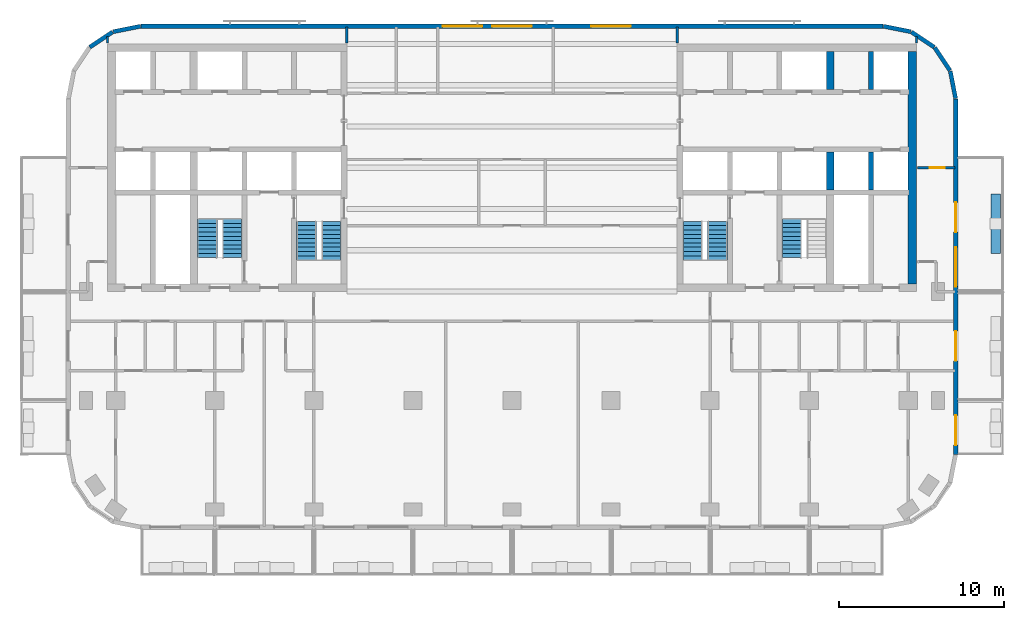
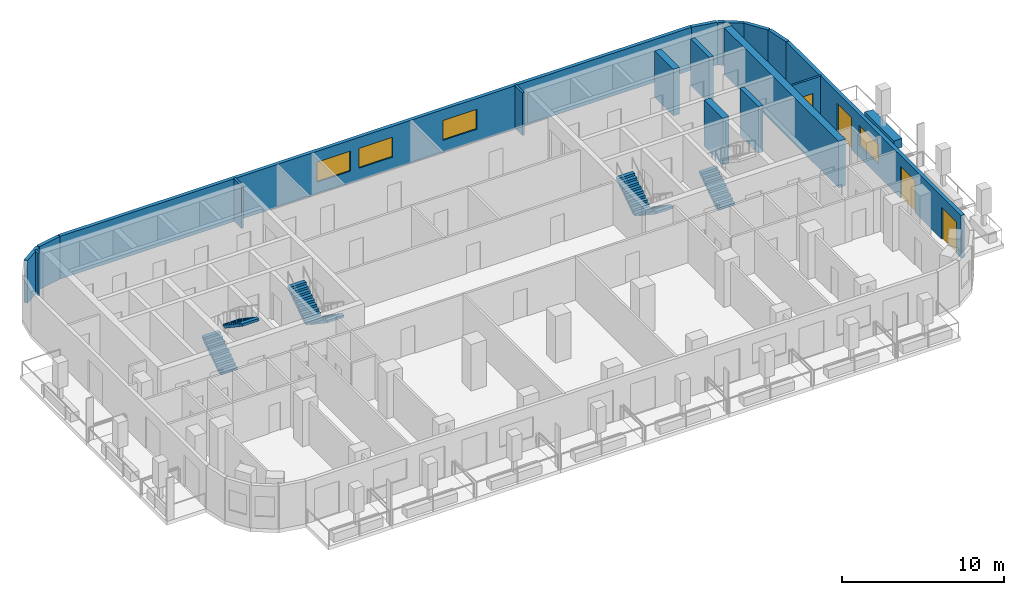
# One storey, part 7 of 11: 19 walls, 7 stair flights, 4 doors, 4 windows, 8 openings, 4 elements without a shape of their own.
"""IFC4 building model written with IfcOpenShell, lengths in metres."""

from ifc_helpers import new_model, si_unit, direction, frame, frame_2d, origin, place, context, subcontext, project, spatial, polyline, rectangle, outline, extrude, material, layer, layer_set, type_object, element, fill, aggregate, save


model = new_model("IFC4")

# Units and contexts
model_context = context("Model", 3, precision=1e-05, world=origin(), true_north=direction((0.0, 1.0)))
body_context = subcontext(model_context, "Body", "Model", "MODEL_VIEW")
ifc_project = project(units=[si_unit("LENGTHUNIT", "METRE"), si_unit("AREAUNIT", "SQUARE_METRE"), si_unit("VOLUMEUNIT", "CUBIC_METRE"), si_unit("PLANEANGLEUNIT", "RADIAN"), si_unit("MASSUNIT", "GRAM", prefix="KILO")], contexts=[model_context])

# Site, building, storey
site_placement = place(None, origin())
site = spatial("IfcSite", under=ifc_project, at=site_placement, CompositionType="ELEMENT")
building_placement = place(site_placement, origin())
building = spatial("IfcBuilding", under=site, at=building_placement, Name="Torana Hotel and Residences", CompositionType="ELEMENT")
storey_placement = place(building_placement, frame((0.0, 0.0, 187.10009765625)))
storey = spatial("IfcBuildingStorey", under=building, at=storey_placement, Name="L48", CompositionType="ELEMENT", Elevation=187.10009765625)

# Walls
ifc_material_1 = material(Name="Concrete C70/85", Category="concrete")
ifc_layer_1 = layer(ifc_material_1, 0.300048828125)
ifc_layer_set_1 = layer_set([ifc_layer_1], Name="CORE WALL 300 C70/85")
wall_type_1 = type_object("IfcWallType", Name="CORE WALL 300 C70/85", PredefinedType="SHEAR", material=ifc_layer_set_1)
for number, where, z_axis, x_axis, name in (
    (1, (21.75, -2.75, 0.0), (0.0, 0.0, 1.0), (0.0, 1.0, 0.0), "Core wall E mm-N"),
    (2, (21.75, -8.85009765625, 0.0), (0.0, 0.0, 1.0), (0.0, 1.0, 0.0), "Core wall E mm-S"),
):
    element("IfcWall", number, at=place(storey_placement, frame(where, z_axis=z_axis, x_axis=x_axis)), inside=storey, type_object=wall_type_1, Name=name, PredefinedType="SHEAR", context=body_context, shape_type="SweptSolid", body=[
        extrude(rectangle(XDim=2.300048828125, YDim=0.300048828125, at=frame_2d((1.14990234375, 0.0))), origin(), (0.0, 0.0, 1.0), 3.5),
    ])
ifc_material_2 = material(Name="Concrete C70/85", Category="concrete")
ifc_layer_2 = layer(ifc_material_2, 0.449951171875)
ifc_layer_set_2 = layer_set([ifc_layer_2], Name="CORE WALL 450 C70/85")
wall_type_2 = type_object("IfcWallType", Name="CORE WALL 450 C70/85", PredefinedType="SHEAR", material=ifc_layer_set_2)
for number, where, z_axis, x_axis, name in (
    (3, (19.27490234375, -2.75, 0.0), (0.0, 0.0, 1.0), (0.0, 1.0, 0.0), "Core wall E hm-N"),
    (4, (19.27490234375, -8.85009765625, 0.0), (0.0, 0.0, 1.0), (0.0, 1.0, 0.0), "Core wall E hm-S"),
):
    element("IfcWall", number, at=place(storey_placement, frame(where, z_axis=z_axis, x_axis=x_axis)), inside=storey, type_object=wall_type_2, Name=name, PredefinedType="SHEAR", context=body_context, shape_type="SweptSolid", body=[
        extrude(rectangle(XDim=2.300048828125, YDim=0.449951171875, at=frame_2d((1.14990234375, 0.0))), origin(), (0.0, 0.0, 1.0), 3.5),
    ])
ifc_material_3 = material(Name="Concrete C70/85", Category="concrete")
ifc_layer_3 = layer(ifc_material_3, 0.5)
ifc_layer_set_3 = layer_set([ifc_layer_3], Name="CORE WALL 500 C70/85")
wall_type_3 = type_object("IfcWallType", Name="CORE WALL 500 C70/85", PredefinedType="SHEAR", material=ifc_layer_set_3)
wall_1_placement = place(storey_placement, frame((24.25, -14.550048828125, 0.0), z_axis=(0.0, 0.0, 1.0), x_axis=(0.0, 1.0, 0.0)))
element("IfcWall", 5, at=wall_1_placement, inside=storey, type_object=wall_type_3, Name="Core wall E outer", PredefinedType="SHEAR", context=body_context, shape_type="SweptSolid", body=[
    extrude(rectangle(XDim=14.10009765625, YDim=0.5, at=frame_2d((7.050048828125, 0.0))), origin(), (0.0, 0.0, 1.0), 3.5),
])
ifc_material_4 = material(Name="Black aluminium composite panel", Category="aluminium")
ifc_layer_4 = layer(ifc_material_4, 0.00390625, Name="Cladding", Category="cladding")
ifc_material_5 = material(Name="Ventilated air cavity")
ifc_layer_5 = layer(ifc_material_5, 0.0400390625, Name="Ventilated cavity", Category="cavity")
ifc_material_6 = material(Name="Mineral wool insulation")
ifc_layer_6 = layer(ifc_material_6, 0.090087890625, Name="Insulation", Category="insulation")
ifc_material_7 = material(Name="Steel S280GD", Category="steel")
ifc_layer_7 = layer(ifc_material_7, 0.092041015625, Name="Steel stud frame", Category="structure")
ifc_material_8 = material(Name="Fire rated plasterboard")
ifc_layer_8 = layer(ifc_material_8, 0.011962890625, Name="Inner board", Category="finish")
ifc_layer_9 = layer(ifc_material_8, 0.011962890625, Name="Second board", Category="finish")
ifc_layer_set_4 = layer_set([ifc_layer_4, ifc_layer_5, ifc_layer_6, ifc_layer_7, ifc_layer_8, ifc_layer_9], Name="EW1 EXTERNAL WALL BLACK METAL CLAD 250")
wall_type_4 = type_object("IfcWallType", Name="EW1 EXTERNAL WALL BLACK METAL CLAD 250", PredefinedType="SOLIDWALL", material=ifc_layer_set_4)
wall_2_placement = place(storey_placement, frame((26.87255859375, -3.30029296875, 0.0), z_axis=(0.0, 0.0, 1.0), x_axis=(-0.194999110559, 0.980803419081, 0.0)))
element("IfcWall", 6, at=wall_2_placement, inside=storey, type_object=wall_type_4, Name="External wall L48 e0.0", PredefinedType="SOLIDWALL", context=body_context, shape_type="SweptSolid", body=[
    extrude(rectangle(XDim=1.681396484375, YDim=0.25, at=frame_2d((0.8408203125, 0.0))), origin(), (0.0, 0.0, 1.0), 3.219970703125),
])
for number, where, z_axis, x_axis, name in (
    (7, (26.52587890625, -1.60595703125, 0.0), (0.0, 0.0, 1.0), (-0.55555029066, 0.831482937015, 0.0), "External wall L48 e0.1"),
    (8, (25.5712890625, -0.1943359375, 0.0), (0.0, 0.0, 1.0), (-0.831482937015, 0.55555029066, 0.0), "External wall L48 e0.2"),
):
    element("IfcWall", number, at=place(storey_placement, frame(where, z_axis=z_axis, x_axis=x_axis)), inside=storey, type_object=wall_type_4, Name=name, PredefinedType="SOLIDWALL", context=body_context, shape_type="SweptSolid", body=[
        extrude(rectangle(XDim=1.65625, YDim=0.25, at=frame_2d((0.828125, 0.0))), origin(), (0.0, 0.0, 1.0), 3.219970703125),
    ])
for number, where, z_axis, x_axis, name in (
    (9, (24.14892578125, 0.74462890625, 0.0), (0.0, 0.0, 1.0), (-0.980803419081, 0.194999110559, 0.0), "External wall L48 e0.3"),
    (10, (-22.499755859375, 1.072509765625, 0.0), (0.0, 0.0, 1.0), (-0.980803419081, -0.194999110559, 0.0), "External wall L48 e0.5"),
):
    element("IfcWall", number, at=place(storey_placement, frame(where, z_axis=z_axis, x_axis=x_axis)), inside=storey, type_object=wall_type_4, Name=name, PredefinedType="SOLIDWALL", context=body_context, shape_type="SweptSolid", body=[
        extrude(rectangle(XDim=1.681396484375, YDim=0.25, at=frame_2d((0.8408203125, 0.0))), origin(), (0.0, 0.0, 1.0), 3.219970703125),
    ])
wall_3_placement = place(storey_placement, frame((-24.194091796875, 0.725830078125, 0.0), z_axis=(0.0, 0.0, 1.0), x_axis=(-0.831482937015, -0.55555029066, 0.0)))
element("IfcWall", 11, at=wall_3_placement, inside=storey, type_object=wall_type_4, Name="External wall L48 e0.6", PredefinedType="SOLIDWALL", context=body_context, shape_type="SweptSolid", body=[
    extrude(rectangle(XDim=1.65625, YDim=0.25, at=frame_2d((0.828125, 0.0))), origin(), (0.0, 0.0, 1.0), 3.219970703125),
])

# Wall, openings, doors, window
wall_4_placement = place(storey_placement, frame((26.875, -24.87548828125, 0.0), z_axis=(0.0, 0.0, 1.0), x_axis=(0.0, 1.0, 0.0)))
wall_4 = element("IfcWall", 12, at=wall_4_placement, inside=storey, type_object=wall_type_4, Name="External wall L48 e0.19", PredefinedType="SOLIDWALL", context=body_context, shape_type="SweptSolid", body=[
    extrude(rectangle(XDim=21.55078125, YDim=0.25, at=frame_2d((10.775390625, 0.0))), origin(), (0.0, 0.0, 1.0), 3.219970703125),
])
opening_1_placement = place(wall_4_placement, frame((0.575439453125, 0.0, 0.0)))
opening_1 = element("IfcOpeningElement", 13, at=opening_1_placement, cuts=wall_4, Name="Opening L48-E09", PredefinedType="OPENING", context=body_context, shape_type="SweptSolid", body=[
    extrude(rectangle(XDim=1.800048828125, YDim=2.39990234375, at=frame_2d((0.89990234375, 1.199951171875))), frame((0.0, 0.135009765625, 0.0), z_axis=(0.0, -1.0, 0.0), x_axis=(1.0, 0.0, 0.0)), (0.0, 0.0, 1.0), 0.27001953125),
])
opening_2_placement = place(wall_4_placement, frame((5.67529296875, 0.0, 0.0)))
opening_2 = element("IfcOpeningElement", 14, at=opening_2_placement, cuts=wall_4, Name="Opening L48-E10", PredefinedType="OPENING", context=body_context, shape_type="SweptSolid", body=[
    extrude(rectangle(XDim=1.800048828125, YDim=2.39990234375, at=frame_2d((0.89990234375, 1.199951171875))), frame((0.0, 0.135009765625, 0.0), z_axis=(0.0, -1.0, 0.0), x_axis=(1.0, 0.0, 0.0)), (0.0, 0.0, 1.0), 0.27001953125),
])
opening_3_placement = place(wall_4_placement, frame((10.17529296875, 0.0, 0.89990234375)))
opening_3 = element("IfcOpeningElement", 15, at=opening_3_placement, cuts=wall_4, Name="Opening W3", PredefinedType="OPENING", context=body_context, shape_type="SweptSolid", body=[
    extrude(rectangle(XDim=2.39990234375, YDim=1.5, at=frame_2d((1.199951171875, 0.75))), frame((0.0, 0.135009765625, 0.0), z_axis=(0.0, -1.0, 0.0), x_axis=(1.0, 0.0, 0.0)), (0.0, 0.0, 1.0), 0.27001953125),
])
opening_4_placement = place(wall_4_placement, frame((13.475341796875, 0.0, 0.0)))
opening_4 = element("IfcOpeningElement", 16, at=opening_4_placement, cuts=wall_4, Name="Opening L48-E11", PredefinedType="OPENING", context=body_context, shape_type="SweptSolid", body=[
    extrude(rectangle(XDim=1.800048828125, YDim=2.39990234375, at=frame_2d((0.89990234375, 1.199951171875))), frame((0.0, 0.135009765625, 0.0), z_axis=(0.0, -1.0, 0.0), x_axis=(1.0, 0.0, 0.0)), (0.0, 0.0, 1.0), 0.27001953125),
])
ifc_material_9 = material(Name="Dark glass in black aluminium frame", Category="aluminium")
door_type_1 = type_object("IfcDoorType", Name="DB1 BALCONY DOOR 1800x2400", OperationType="DOUBLE_DOOR_SINGLE_SWING", PredefinedType="DOOR", material=ifc_material_9)
door_1_placement = place(opening_1_placement, origin())
door_1 = element("IfcDoor", 17, at=door_1_placement, inside=storey, type_object=door_type_1, Name="Balcony door L48", OperationType="DOUBLE_DOOR_SINGLE_SWING", OverallHeight=2.39990234375, OverallWidth=1.800048828125, PredefinedType="DOOR", context=body_context, shape_type="SweptSolid", body=[
    extrude(rectangle(XDim=1.800048828125, YDim=2.39990234375, at=frame_2d((0.89990234375, 1.199951171875))), frame((0.0, 0.02490234375, 0.0), z_axis=(0.0, -1.0, 0.0), x_axis=(1.0, 0.0, 0.0)), (0.0, 0.0, 1.0), 0.050048828125),
])
fill(opening_1, door_1)
door_2_placement = place(opening_2_placement, origin())
door_2 = element("IfcDoor", 18, at=door_2_placement, inside=storey, type_object=door_type_1, Name="Balcony door L48", OperationType="DOUBLE_DOOR_SINGLE_SWING", OverallHeight=2.39990234375, OverallWidth=1.800048828125, PredefinedType="DOOR", context=body_context, shape_type="SweptSolid", body=[
    extrude(rectangle(XDim=1.800048828125, YDim=2.39990234375, at=frame_2d((0.89990234375, 1.199951171875))), frame((0.0, 0.02490234375, 0.0), z_axis=(0.0, -1.0, 0.0), x_axis=(1.0, 0.0, 0.0)), (0.0, 0.0, 1.0), 0.050048828125),
])
fill(opening_2, door_2)
door_3_placement = place(opening_4_placement, origin())
door_3 = element("IfcDoor", 19, at=door_3_placement, inside=storey, type_object=door_type_1, Name="Balcony door L48", OperationType="DOUBLE_DOOR_SINGLE_SWING", OverallHeight=2.39990234375, OverallWidth=1.800048828125, PredefinedType="DOOR", context=body_context, shape_type="SweptSolid", body=[
    extrude(rectangle(XDim=1.800048828125, YDim=2.39990234375, at=frame_2d((0.89990234375, 1.199951171875))), frame((0.0, 0.02490234375, 0.0), z_axis=(0.0, -1.0, 0.0), x_axis=(1.0, 0.0, 0.0)), (0.0, 0.0, 1.0), 0.050048828125),
])
fill(opening_4, door_3)
ifc_material_10 = material(Name="Dark glass in black aluminium frame", Category="aluminium")
window_type = type_object("IfcWindowType", Name="W3 RESIDENCE WINDOW 2400x1500", PartitioningType="SINGLE_PANEL", PredefinedType="WINDOW", material=ifc_material_10)
window_1_placement = place(opening_3_placement, origin())
window_1 = element("IfcWindow", 20, at=window_1_placement, inside=storey, type_object=window_type, Name="Window L48", OverallHeight=1.5, OverallWidth=2.39990234375, PartitioningType="SINGLE_PANEL", PredefinedType="WINDOW", context=body_context, shape_type="SweptSolid", body=[
    extrude(rectangle(XDim=2.39990234375, YDim=1.5, at=frame_2d((1.199951171875, 0.75))), frame((0.0, 0.030029296875, 0.0), z_axis=(0.0, -1.0, 0.0), x_axis=(1.0, 0.0, 0.0)), (0.0, 0.0, 1.0), 0.06005859375),
])
fill(opening_3, window_1)

# Wall, openings, windows
ifc_material_11 = material(Name="Concrete C40/50 precast", Category="concrete")
ifc_layer_10 = layer(ifc_material_11, 0.10009765625, Name="Perforated block", Category="cladding")
ifc_material_12 = material(Name="Air cavity")
ifc_layer_11 = layer(ifc_material_12, 0.030029296875, Name="Cavity", Category="cavity")
ifc_material_13 = material(Name="Concrete C40/50", Category="concrete")
ifc_layer_12 = layer(ifc_material_13, 0.10009765625, Name="Wall", Category="structure")
ifc_material_14 = material(Name="Plaster and paint")
ifc_layer_13 = layer(ifc_material_14, 0.02001953125, Name="Inner finish", Category="finish")
ifc_layer_set_5 = layer_set([ifc_layer_10, ifc_layer_11, ifc_layer_12, ifc_layer_13], Name="EW2 PERFORATED BLOCK SCREEN WALL 250")
wall_type_5 = type_object("IfcWallType", Name="EW2 PERFORATED BLOCK SCREEN WALL 250", PredefinedType="SOLIDWALL", material=ifc_layer_set_5)
wall_5_placement = place(storey_placement, frame((22.475341796875, 1.074951171875, 0.0), z_axis=(0.0, 0.0, 1.0), x_axis=(-1.0, 0.0, 0.0)))
wall_5 = element("IfcWall", 21, at=wall_5_placement, inside=storey, type_object=wall_type_5, Name="External wall L48 e0.4", PredefinedType="SOLIDWALL", context=body_context, shape_type="SweptSolid", body=[
    extrude(rectangle(XDim=44.95068359375, YDim=0.25, at=frame_2d((22.475341796875, 0.0))), origin(), (0.0, 0.0, 1.0), 3.219970703125),
])
opening_5_placement = place(wall_5_placement, frame((15.275390625, 0.0, 0.89990234375)))
opening_5 = element("IfcOpeningElement", 22, at=opening_5_placement, cuts=wall_5, Name="Opening W3", PredefinedType="OPENING", context=body_context, shape_type="SweptSolid", body=[
    extrude(rectangle(XDim=2.39990234375, YDim=1.5, at=frame_2d((1.199951171875, 0.75))), frame((0.0, 0.135009765625, 0.0), z_axis=(0.0, -1.0, 0.0), x_axis=(1.0, 0.0, 0.0)), (0.0, 0.0, 1.0), 0.27001953125),
])
opening_6_placement = place(wall_5_placement, frame((21.275390625, 0.0, 0.89990234375)))
opening_6 = element("IfcOpeningElement", 23, at=opening_6_placement, cuts=wall_5, Name="Opening W3", PredefinedType="OPENING", context=body_context, shape_type="SweptSolid", body=[
    extrude(rectangle(XDim=2.39990234375, YDim=1.5, at=frame_2d((1.199951171875, 0.75))), frame((0.0, 0.135009765625, 0.0), z_axis=(0.0, -1.0, 0.0), x_axis=(1.0, 0.0, 0.0)), (0.0, 0.0, 1.0), 0.27001953125),
])
opening_7_placement = place(wall_5_placement, frame((24.275390625, 0.0, 0.89990234375)))
opening_7 = element("IfcOpeningElement", 24, at=opening_7_placement, cuts=wall_5, Name="Opening W3", PredefinedType="OPENING", context=body_context, shape_type="SweptSolid", body=[
    extrude(rectangle(XDim=2.39990234375, YDim=1.5, at=frame_2d((1.199951171875, 0.75))), frame((0.0, 0.135009765625, 0.0), z_axis=(0.0, -1.0, 0.0), x_axis=(1.0, 0.0, 0.0)), (0.0, 0.0, 1.0), 0.27001953125),
])
window_2_placement = place(opening_5_placement, origin())
window_2 = element("IfcWindow", 25, at=window_2_placement, inside=storey, type_object=window_type, Name="Window L48", OverallHeight=1.5, OverallWidth=2.39990234375, PartitioningType="SINGLE_PANEL", PredefinedType="WINDOW", context=body_context, shape_type="SweptSolid", body=[
    extrude(rectangle(XDim=2.39990234375, YDim=1.5, at=frame_2d((1.199951171875, 0.75))), frame((0.0, 0.030029296875, 0.0), z_axis=(0.0, -1.0, 0.0), x_axis=(1.0, 0.0, 0.0)), (0.0, 0.0, 1.0), 0.06005859375),
])
fill(opening_5, window_2)
window_3_placement = place(opening_6_placement, origin())
window_3 = element("IfcWindow", 26, at=window_3_placement, inside=storey, type_object=window_type, Name="Window L48", OverallHeight=1.5, OverallWidth=2.39990234375, PartitioningType="SINGLE_PANEL", PredefinedType="WINDOW", context=body_context, shape_type="SweptSolid", body=[
    extrude(rectangle(XDim=2.39990234375, YDim=1.5, at=frame_2d((1.199951171875, 0.75))), frame((0.0, 0.030029296875, 0.0), z_axis=(0.0, -1.0, 0.0), x_axis=(1.0, 0.0, 0.0)), (0.0, 0.0, 1.0), 0.06005859375),
])
fill(opening_6, window_3)
window_4_placement = place(opening_7_placement, origin())
window_4 = element("IfcWindow", 27, at=window_4_placement, inside=storey, type_object=window_type, Name="Window L48", OverallHeight=1.5, OverallWidth=2.39990234375, PartitioningType="SINGLE_PANEL", PredefinedType="WINDOW", context=body_context, shape_type="SweptSolid", body=[
    extrude(rectangle(XDim=2.39990234375, YDim=1.5, at=frame_2d((1.199951171875, 0.75))), frame((0.0, 0.030029296875, 0.0), z_axis=(0.0, -1.0, 0.0), x_axis=(1.0, 0.0, 0.0)), (0.0, 0.0, 1.0), 0.06005859375),
])
fill(opening_7, window_4)

# Walls
ifc_material_15 = material(Name="Gypsum plasterboard")
ifc_layer_14 = layer(ifc_material_15, 0.012451171875, Name="Plasterboard", Category="finish")
ifc_layer_15 = layer(ifc_material_15, 0.012451171875, Name="Plasterboard", Category="finish")
ifc_layer_16 = layer(ifc_material_7, 0.10009765625, Name="Steel studs with mineral wool", Category="insulation")
ifc_layer_17 = layer(ifc_material_15, 0.012451171875, Name="Plasterboard", Category="finish")
ifc_layer_18 = layer(ifc_material_15, 0.012451171875, Name="Plasterboard", Category="finish")
ifc_layer_set_6 = layer_set([ifc_layer_14, ifc_layer_15, ifc_layer_16, ifc_layer_17, ifc_layer_18], Name="PARTITION 150 PLASTERBOARD")
wall_type_6 = type_object("IfcWallType", Name="PARTITION 150 PLASTERBOARD", PredefinedType="PARTITIONING", material=ifc_layer_set_6)
wall_6_placement = place(storey_placement, frame((24.5, 0.050048828125, 0.0), z_axis=(0.0, 0.0, 1.0), x_axis=(0.0, 1.0, 0.0)))
element("IfcWall", 28, at=wall_6_placement, inside=storey, type_object=wall_type_6, Name="Partition L48", PredefinedType="PARTITIONING", context=body_context, shape_type="SweptSolid", body=[
    extrude(rectangle(XDim=0.4052734375, YDim=0.14990234375, at=frame_2d((0.20263671875, 0.0))), origin(), (0.0, 0.0, 1.0), 3.219970703125),
])
wall_7_placement = place(storey_placement, frame((10.0, 0.050048828125, 0.0), z_axis=(0.0, 0.0, 1.0), x_axis=(0.0, 1.0, 0.0)))
element("IfcWall", 29, at=wall_7_placement, inside=storey, type_object=wall_type_6, Name="Partition L48", PredefinedType="PARTITIONING", context=body_context, shape_type="SweptSolid", body=[
    extrude(rectangle(XDim=0.969970703125, YDim=0.14990234375, at=frame_2d((0.48486328125, 0.0))), origin(), (0.0, 0.0, 1.0), 3.219970703125),
])
wall_8_placement = place(storey_placement, frame((-24.5, 0.050048828125, 0.0), z_axis=(0.0, 0.0, 1.0), x_axis=(0.0, 1.0, 0.0)))
element("IfcWall", 30, at=wall_8_placement, inside=storey, type_object=wall_type_6, Name="Partition L48", PredefinedType="PARTITIONING", context=body_context, shape_type="SweptSolid", body=[
    extrude(rectangle(XDim=0.4052734375, YDim=0.14990234375, at=frame_2d((0.20263671875, 0.0))), origin(), (0.0, 0.0, 1.0), 3.219970703125),
])

# Wall, opening, door
wall_9_placement = place(storey_placement, frame((24.550048828125, -7.5, 0.0), z_axis=(0.0, 0.0, 1.0), x_axis=(1.0, 0.0, 0.0)))
wall_9 = element("IfcWall", 31, at=wall_9_placement, inside=storey, type_object=wall_type_6, Name="Partition L48", PredefinedType="PARTITIONING", context=body_context, shape_type="SweptSolid", body=[
    extrude(rectangle(XDim=2.27001953125, YDim=0.14990234375, at=frame_2d((1.135009765625, 0.0))), origin(), (0.0, 0.0, 1.0), 3.219970703125),
])
opening_8_placement = place(wall_9_placement, frame((0.75, 0.0, 0.0)))
opening_8 = element("IfcOpeningElement", 32, at=opening_8_placement, cuts=wall_9, Name="Opening L48-63", PredefinedType="OPENING", context=body_context, shape_type="SweptSolid", body=[
    extrude(rectangle(XDim=0.89990234375, YDim=2.10009765625, at=frame_2d((0.449951171875, 1.050048828125))), frame((0.0, 0.0849609375, 0.0), z_axis=(0.0, -1.0, 0.0), x_axis=(1.0, 0.0, 0.0)), (0.0, 0.0, 1.0), 0.169921875),
])
ifc_material_16 = material(Name="Timber door, oiled ash", Category="wood")
door_type_2 = type_object("IfcDoorType", Name="ROOM DOOR D7 900x2100", OperationType="SINGLE_SWING_LEFT", PredefinedType="DOOR", material=ifc_material_16)
door_4_placement = place(opening_8_placement, origin())
door_4 = element("IfcDoor", 33, at=door_4_placement, inside=storey, type_object=door_type_2, Name="Door L48", OperationType="SINGLE_SWING_LEFT", OverallHeight=2.10009765625, OverallWidth=0.89990234375, PredefinedType="DOOR", context=body_context, shape_type="SweptSolid", body=[
    extrude(rectangle(XDim=0.89990234375, YDim=2.10009765625, at=frame_2d((0.449951171875, 1.050048828125))), frame((0.0, 0.02490234375, 0.0), z_axis=(0.0, -1.0, 0.0), x_axis=(1.0, 0.0, 0.0)), (0.0, 0.0, 1.0), 0.050048828125),
])
fill(opening_8, door_4)

# Walls
ifc_layer_19 = layer(ifc_material_11, 0.10009765625, Name="Planter shell", Category="structure")
ifc_material_17 = material(Name="Root resistant membrane")
ifc_layer_20 = layer(ifc_material_17, 0.00390625, Name="Waterproofing membrane", Category="membrane")
ifc_material_18 = material(Name="Drainage board with filter fleece")
ifc_layer_21 = layer(ifc_material_18, 0.02001953125, Name="Drainage board", Category="drainage")
ifc_material_19 = material(Name="Growing medium")
ifc_layer_22 = layer(ifc_material_19, 0.47607421875, Name="Planting substrate", Category="soil")
ifc_layer_set_7 = layer_set([ifc_layer_19, ifc_layer_20, ifc_layer_21, ifc_layer_22], Name="PL1 BALCONY PLANTER 600")
wall_type_7 = type_object("IfcWallType", Name="PL1 BALCONY PLANTER 600", PredefinedType="USERDEFINED", material=ifc_layer_set_7)
wall_10_placement = place(storey_placement, frame((29.300048828125, -9.10009765625, 0.0), z_axis=(0.0, 0.0, 1.0), x_axis=(0.0, -1.0, 0.0)))
element("IfcWall", 34, at=wall_10_placement, inside=storey, type_object=wall_type_7, Name="Planter 14", ObjectType="PLANTER", PredefinedType="USERDEFINED", context=body_context, shape_type="SweptSolid", body=[
    extrude(rectangle(XDim=3.599853515625, YDim=0.60009765625, at=frame_2d((1.7998046875, 0.0))), origin(), (0.0, 0.0, 1.0), 0.64990234375),
])
ifc_material_20 = material(Name="Ceramic tile on adhesive")
ifc_layer_23 = layer(ifc_material_20, 0.010009765625, Name="Wall tile", Category="finish")
ifc_material_21 = material(Name="Cement render")
ifc_layer_24 = layer(ifc_material_21, 0.010009765625, Name="Render", Category="finish")
ifc_material_22 = material(Name="Concrete blockwork", Category="masonry")
ifc_layer_25 = layer(ifc_material_22, 0.110107421875, Name="Blockwork", Category="structure")
ifc_layer_26 = layer(ifc_material_21, 0.010009765625, Name="Render", Category="finish")
ifc_layer_27 = layer(ifc_material_20, 0.010009765625, Name="Wall tile", Category="finish")
ifc_layer_set_8 = layer_set([ifc_layer_23, ifc_layer_24, ifc_layer_25, ifc_layer_26, ifc_layer_27], Name="WC PARTITION 150")
wall_type_8 = type_object("IfcWallType", Name="WC PARTITION 150", PredefinedType="PLUMBINGWALL", material=ifc_layer_set_8)
wall_11_placement = place(storey_placement, frame((-10.0, 0.050048828125, 0.0), z_axis=(0.0, 0.0, 1.0), x_axis=(0.0, 1.0, 0.0)))
element("IfcWall", 35, at=wall_11_placement, inside=storey, type_object=wall_type_8, Name="Partition L48", PredefinedType="PLUMBINGWALL", context=body_context, shape_type="SweptSolid", body=[
    extrude(rectangle(XDim=0.969970703125, YDim=0.14990234375, at=frame_2d((0.48486328125, 0.0))), origin(), (0.0, 0.0, 1.0), 3.219970703125),
])

# Stair, stair flights
ifc_material_23 = material(Name="Concrete C40/50 precast", Category="concrete")
stair_type_1 = type_object("IfcStairType", Name="STAIR ST1 HALF TURN 1200", PredefinedType="HALF_TURN_STAIR", material=ifc_material_23)
stair_1_placement = place(storey_placement, origin())
stair_1 = element("IfcStair", 36, at=stair_1_placement, inside=storey, type_object=stair_type_1, Name="Stair ST1 L48", PredefinedType="HALF_TURN_STAIR")
ifc_material_24 = material(Name="Concrete C40/50 precast", Category="concrete")
stair_flight_type = type_object("IfcStairFlightType", Name="STAIR FLIGHT 1200 PRECAST", PredefinedType="STRAIGHT", material=ifc_material_24)
stair_flight_1_placement = place(storey_placement, frame((-10.949951171875, -10.75, 0.0), z_axis=(0.0, 0.0, 1.0), x_axis=(0.0, -1.0, 0.0)))
stair_flight_1 = element("IfcStairFlight", 37, at=stair_flight_1_placement, type_object=stair_flight_type, Name="ST1 flight 1", NumberOfRisers=10, NumberOfTreads=9, PredefinedType="STRAIGHT", RiserHeight=0.175, TreadLength=0.26, context=body_context, shape_type="SweptSolid", body=[
    extrude(outline(polyline([(0.0, 0.0), (0.0, 0.175048828125), (0.260009765625, 0.175048828125), (0.260009765625, 0.35009765625), (0.52001953125, 0.35009765625), (0.52001953125, 0.52490234375), (0.780029296875, 0.52490234375), (0.780029296875, 0.699951171875), (1.0400390625, 0.699951171875), (1.0400390625, 0.875), (1.300048828125, 0.875), (1.300048828125, 1.050048828125), (1.56005859375, 1.050048828125), (1.56005859375, 1.22509765625), (1.820068359375, 1.22509765625), (1.820068359375, 1.39990234375), (2.080078125, 1.39990234375), (2.080078125, 1.574951171875), (2.340087890625, 1.574951171875), (2.340087890625, 1.75), (2.340087890625, 1.394287109375), (0.2685546875, 0.0), (0.0, 0.0)])), frame((0.0, 0.60009765625, 0.0), z_axis=(0.0, -1.0, 0.0), x_axis=(1.0, 0.0, 0.0)), (0.0, 0.0, 1.0), 1.199951171875),
])
stair_flight_2_placement = place(storey_placement, frame((-12.449951171875, -13.090087890625, 1.75), z_axis=(0.0, 0.0, 1.0), x_axis=(0.0, 1.0, 0.0)))
stair_flight_2 = element("IfcStairFlight", 38, at=stair_flight_2_placement, type_object=stair_flight_type, Name="ST1 flight 2", NumberOfRisers=10, NumberOfTreads=9, PredefinedType="STRAIGHT", RiserHeight=0.175, TreadLength=0.26, context=body_context, shape_type="SweptSolid", body=[
    extrude(outline(polyline([(0.0, 0.0), (0.0, 0.175048828125), (0.260009765625, 0.175048828125), (0.260009765625, 0.35009765625), (0.52001953125, 0.35009765625), (0.52001953125, 0.52490234375), (0.780029296875, 0.52490234375), (0.780029296875, 0.699951171875), (1.0400390625, 0.699951171875), (1.0400390625, 0.875), (1.300048828125, 0.875), (1.300048828125, 1.050048828125), (1.56005859375, 1.050048828125), (1.56005859375, 1.22509765625), (1.820068359375, 1.22509765625), (1.820068359375, 1.39990234375), (2.080078125, 1.39990234375), (2.080078125, 1.574951171875), (2.340087890625, 1.574951171875), (2.340087890625, 1.75), (2.340087890625, 1.394287109375), (0.2685546875, 0.0), (0.0, 0.0)])), frame((0.0, 0.60009765625, 0.0), z_axis=(0.0, -1.0, 0.0), x_axis=(1.0, 0.0, 0.0)), (0.0, 0.0, 1.0), 1.199951171875),
])
aggregate(stair_1, [stair_flight_1, stair_flight_2])

ifc_material_25 = material(Name="Concrete C40/50 precast", Category="concrete")
stair_type_2 = type_object("IfcStairType", Name="STAIR ST2 HALF TURN 1200", PredefinedType="HALF_TURN_STAIR", material=ifc_material_25)
stair_2_placement = place(storey_placement, origin())
stair_2 = element("IfcStair", 39, at=stair_2_placement, inside=storey, type_object=stair_type_2, Name="Stair ST2 L48", PredefinedType="HALF_TURN_STAIR")
stair_flight_3_placement = place(storey_placement, frame((-18.449951171875, -12.949951171875, 0.0), z_axis=(0.0, 0.0, 1.0), x_axis=(0.0, 1.0, 0.0)))
stair_flight_3 = element("IfcStairFlight", 40, at=stair_flight_3_placement, type_object=stair_flight_type, Name="ST2 flight 1", NumberOfRisers=10, NumberOfTreads=9, PredefinedType="STRAIGHT", RiserHeight=0.175, TreadLength=0.26, context=body_context, shape_type="SweptSolid", body=[
    extrude(outline(polyline([(0.0, 0.0), (0.0, 0.175048828125), (0.260009765625, 0.175048828125), (0.260009765625, 0.35009765625), (0.52001953125, 0.35009765625), (0.52001953125, 0.52490234375), (0.780029296875, 0.52490234375), (0.780029296875, 0.699951171875), (1.0400390625, 0.699951171875), (1.0400390625, 0.875), (1.300048828125, 0.875), (1.300048828125, 1.050048828125), (1.56005859375, 1.050048828125), (1.56005859375, 1.22509765625), (1.820068359375, 1.22509765625), (1.820068359375, 1.39990234375), (2.080078125, 1.39990234375), (2.080078125, 1.574951171875), (2.340087890625, 1.574951171875), (2.340087890625, 1.75), (2.340087890625, 1.394287109375), (0.2685546875, 0.0), (0.0, 0.0)])), frame((0.0, 0.60009765625, 0.0), z_axis=(0.0, -1.0, 0.0), x_axis=(1.0, 0.0, 0.0)), (0.0, 0.0, 1.0), 1.199951171875),
])
stair_flight_4_placement = place(storey_placement, frame((-16.949951171875, -10.610107421875, 1.75), z_axis=(0.0, 0.0, 1.0), x_axis=(0.0, -1.0, 0.0)))
stair_flight_4 = element("IfcStairFlight", 41, at=stair_flight_4_placement, type_object=stair_flight_type, Name="ST2 flight 2", NumberOfRisers=10, NumberOfTreads=9, PredefinedType="STRAIGHT", RiserHeight=0.175, TreadLength=0.26, context=body_context, shape_type="SweptSolid", body=[
    extrude(outline(polyline([(0.0, 0.0), (0.0, 0.175048828125), (0.260009765625, 0.175048828125), (0.260009765625, 0.35009765625), (0.52001953125, 0.35009765625), (0.52001953125, 0.52490234375), (0.780029296875, 0.52490234375), (0.780029296875, 0.699951171875), (1.0400390625, 0.699951171875), (1.0400390625, 0.875), (1.300048828125, 0.875), (1.300048828125, 1.050048828125), (1.56005859375, 1.050048828125), (1.56005859375, 1.22509765625), (1.820068359375, 1.22509765625), (1.820068359375, 1.39990234375), (2.080078125, 1.39990234375), (2.080078125, 1.574951171875), (2.340087890625, 1.574951171875), (2.340087890625, 1.75), (2.340087890625, 1.394287109375), (0.2685546875, 0.0), (0.0, 0.0)])), frame((0.0, 0.60009765625, 0.0), z_axis=(0.0, -1.0, 0.0), x_axis=(1.0, 0.0, 0.0)), (0.0, 0.0, 1.0), 1.199951171875),
])
aggregate(stair_2, [stair_flight_3, stair_flight_4])

ifc_material_26 = material(Name="Concrete C40/50 precast", Category="concrete")
stair_type_3 = type_object("IfcStairType", Name="STAIR ST3 HALF TURN 1200", PredefinedType="HALF_TURN_STAIR", material=ifc_material_26)
stair_3_placement = place(storey_placement, origin())
stair_3 = element("IfcStair", 42, at=stair_3_placement, inside=storey, type_object=stair_type_3, Name="Stair ST3 L48", PredefinedType="HALF_TURN_STAIR")
stair_flight_5_placement = place(storey_placement, frame((12.449951171875, -10.75, 0.0), z_axis=(0.0, 0.0, 1.0), x_axis=(0.0, -1.0, 0.0)))
stair_flight_5 = element("IfcStairFlight", 43, at=stair_flight_5_placement, type_object=stair_flight_type, Name="ST3 flight 1", NumberOfRisers=10, NumberOfTreads=9, PredefinedType="STRAIGHT", RiserHeight=0.175, TreadLength=0.26, context=body_context, shape_type="SweptSolid", body=[
    extrude(outline(polyline([(0.0, 0.0), (0.0, 0.175048828125), (0.260009765625, 0.175048828125), (0.260009765625, 0.35009765625), (0.52001953125, 0.35009765625), (0.52001953125, 0.52490234375), (0.780029296875, 0.52490234375), (0.780029296875, 0.699951171875), (1.0400390625, 0.699951171875), (1.0400390625, 0.875), (1.300048828125, 0.875), (1.300048828125, 1.050048828125), (1.56005859375, 1.050048828125), (1.56005859375, 1.22509765625), (1.820068359375, 1.22509765625), (1.820068359375, 1.39990234375), (2.080078125, 1.39990234375), (2.080078125, 1.574951171875), (2.340087890625, 1.574951171875), (2.340087890625, 1.75), (2.340087890625, 1.394287109375), (0.2685546875, 0.0), (0.0, 0.0)])), frame((0.0, 0.60009765625, 0.0), z_axis=(0.0, -1.0, 0.0), x_axis=(1.0, 0.0, 0.0)), (0.0, 0.0, 1.0), 1.199951171875),
])
stair_flight_6_placement = place(storey_placement, frame((10.949951171875, -13.090087890625, 1.75), z_axis=(0.0, 0.0, 1.0), x_axis=(0.0, 1.0, 0.0)))
stair_flight_6 = element("IfcStairFlight", 44, at=stair_flight_6_placement, type_object=stair_flight_type, Name="ST3 flight 2", NumberOfRisers=10, NumberOfTreads=9, PredefinedType="STRAIGHT", RiserHeight=0.175, TreadLength=0.26, context=body_context, shape_type="SweptSolid", body=[
    extrude(outline(polyline([(0.0, 0.0), (0.0, 0.175048828125), (0.260009765625, 0.175048828125), (0.260009765625, 0.35009765625), (0.52001953125, 0.35009765625), (0.52001953125, 0.52490234375), (0.780029296875, 0.52490234375), (0.780029296875, 0.699951171875), (1.0400390625, 0.699951171875), (1.0400390625, 0.875), (1.300048828125, 0.875), (1.300048828125, 1.050048828125), (1.56005859375, 1.050048828125), (1.56005859375, 1.22509765625), (1.820068359375, 1.22509765625), (1.820068359375, 1.39990234375), (2.080078125, 1.39990234375), (2.080078125, 1.574951171875), (2.340087890625, 1.574951171875), (2.340087890625, 1.75), (2.340087890625, 1.394287109375), (0.2685546875, 0.0), (0.0, 0.0)])), frame((0.0, 0.60009765625, 0.0), z_axis=(0.0, -1.0, 0.0), x_axis=(1.0, 0.0, 0.0)), (0.0, 0.0, 1.0), 1.199951171875),
])
aggregate(stair_3, [stair_flight_5, stair_flight_6])

# Stair, stair flight
ifc_material_27 = material(Name="Concrete C40/50 precast", Category="concrete")
stair_type_4 = type_object("IfcStairType", Name="STAIR ST4 HALF TURN 1200", PredefinedType="HALF_TURN_STAIR", material=ifc_material_27)
stair_4_placement = place(storey_placement, origin())
stair_4 = element("IfcStair", 45, at=stair_4_placement, inside=storey, type_object=stair_type_4, Name="Stair ST4 L48", PredefinedType="HALF_TURN_STAIR")
stair_flight_7_placement = place(storey_placement, frame((16.949951171875, -12.949951171875, 0.0), z_axis=(0.0, 0.0, 1.0), x_axis=(0.0, 1.0, 0.0)))
stair_flight_7 = element("IfcStairFlight", 46, at=stair_flight_7_placement, type_object=stair_flight_type, Name="ST4 flight 1", NumberOfRisers=10, NumberOfTreads=9, PredefinedType="STRAIGHT", RiserHeight=0.175, TreadLength=0.26, context=body_context, shape_type="SweptSolid", body=[
    extrude(outline(polyline([(0.0, 0.0), (0.0, 0.175048828125), (0.260009765625, 0.175048828125), (0.260009765625, 0.35009765625), (0.52001953125, 0.35009765625), (0.52001953125, 0.52490234375), (0.780029296875, 0.52490234375), (0.780029296875, 0.699951171875), (1.0400390625, 0.699951171875), (1.0400390625, 0.875), (1.300048828125, 0.875), (1.300048828125, 1.050048828125), (1.56005859375, 1.050048828125), (1.56005859375, 1.22509765625), (1.820068359375, 1.22509765625), (1.820068359375, 1.39990234375), (2.080078125, 1.39990234375), (2.080078125, 1.574951171875), (2.340087890625, 1.574951171875), (2.340087890625, 1.75), (2.340087890625, 1.394287109375), (0.2685546875, 0.0), (0.0, 0.0)])), frame((0.0, 0.60009765625, 0.0), z_axis=(0.0, -1.0, 0.0), x_axis=(1.0, 0.0, 0.0)), (0.0, 0.0, 1.0), 1.199951171875),
])
aggregate(stair_4, [stair_flight_7])

save(model, "model.ifc")
